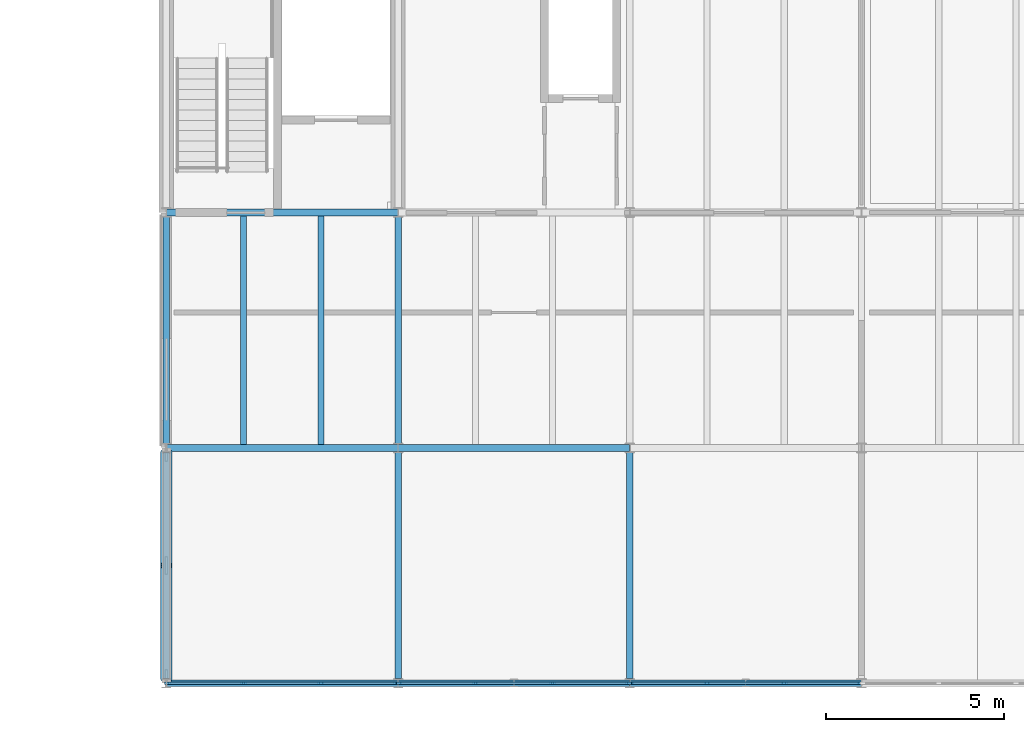
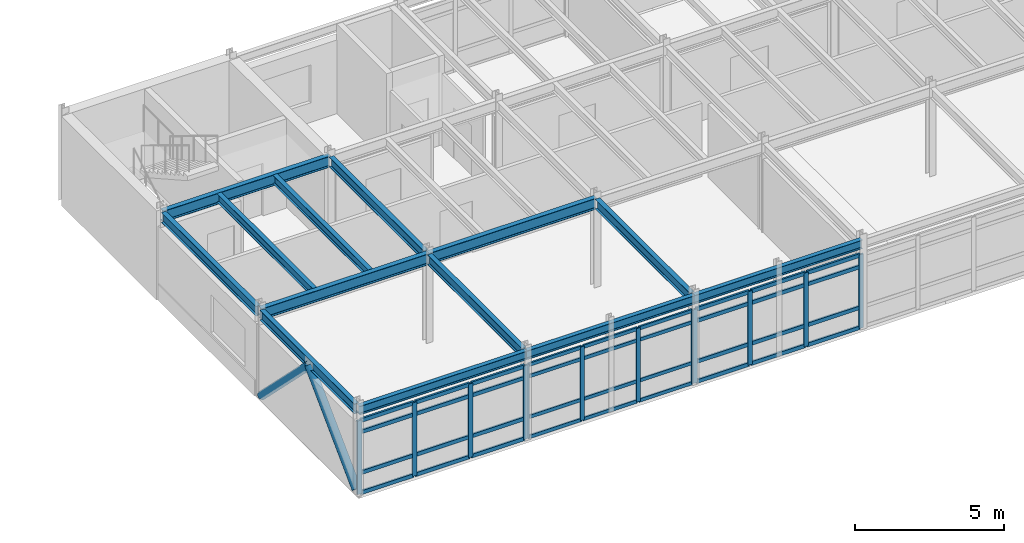
# One storey, part 7 of 26: 50 members, 13 beams, 3 elements without a shape of their own.
"""IFC4 building model written with IfcOpenShell, lengths in metres."""

import ifcopenshell
import ifcopenshell.guid

model = None  # the IFC model being written
_history = None  # IfcOwnerHistory: only IFC2X3 demands one
_inside = {}  # id of a spatial element -> (the spatial element, [elements in it])
_under = {}  # id of a project, library or spatial element -> (it, [spatial elements below it])
_declared = {}  # id of a project -> (the project, [libraries it declares])
_typed = {}  # id of a type object -> (the type object, [elements of that type])
_made_of = {}  # id of a material, layer set ... -> (it, [elements and type objects made of it])


def new_model(schema):
    """Start an empty IFC model of exactly this schema.

    Asked for "IFC4X3", IfcOpenShell would pick the latest addendum, in which some entities
    have other attributes; the version numbers below select the first issue.
    IFC2X3 requires an IfcOwnerHistory on every rooted entity: one is made here for all.
    """
    global model, _history
    if schema == "IFC4X3":
        model = ifcopenshell.file(schema_version=(4, 3, 0, 0))
    else:
        model = ifcopenshell.file(schema=schema)
    _inside.clear()
    _under.clear()
    _declared.clear()
    _typed.clear()
    _made_of.clear()
    _history = None
    if model.schema == "IFC2X3":
        org = make("IfcOrganization", Name="unknown")
        user = make(
            "IfcPersonAndOrganization",
            ThePerson=make("IfcPerson", FamilyName="unknown"),
            TheOrganization=org,
        )
        app = make(
            "IfcApplication",
            ApplicationDeveloper=org,
            Version="unknown",
            ApplicationFullName="unknown",
            ApplicationIdentifier="unknown",
        )
        _history = make(
            "IfcOwnerHistory",
            OwningUser=user,
            OwningApplication=app,
            ChangeAction="ADDED",
            CreationDate=0,
        )
    return model


def make(cls, **values):
    """One entity of the class cls with the attributes given. An attribute that is None is left unset."""
    return model.create_entity(
        cls, **{name: value for name, value in values.items() if value is not None}
    )


def rooted(cls, **values):
    """An entity with a GlobalId (a new one), such as an element, a storey or a relation."""
    return make(cls, GlobalId=ifcopenshell.guid.new(), OwnerHistory=_history, **values)


def si_unit(unit_type, name, prefix=None):
    """IfcSIUnit, for example si_unit("LENGTHUNIT", "METRE", prefix="MILLI")."""
    return make("IfcSIUnit", UnitType=unit_type, Prefix=prefix, Name=name)


def assignment(units):
    """IfcUnitAssignment: the units of a project."""
    return None if units is None else make("IfcUnitAssignment", Units=units)


def point(xyz):
    """IfcCartesianPoint."""
    return None if xyz is None else make("IfcCartesianPoint", Coordinates=xyz)


def direction(xyz):
    """IfcDirection."""
    return None if xyz is None else make("IfcDirection", DirectionRatios=xyz)


def frame(location, z_axis=None, x_axis=None):
    """IfcAxis2Placement3D, a coordinate frame: its origin and axes. An axis left out is left unset."""
    return make(
        "IfcAxis2Placement3D",
        Location=point(location),
        Axis=direction(z_axis),
        RefDirection=direction(x_axis),
    )


def frame_2d(location, x_axis=None):
    """IfcAxis2Placement2D, a coordinate frame in the plane: its origin and x axis."""
    return make(
        "IfcAxis2Placement2D", Location=point(location), RefDirection=direction(x_axis)
    )


def origin():
    """The frame at (0, 0, 0) with its axes left unset."""
    return frame((0.0, 0.0, 0.0))


def origin_2d():
    """The frame at (0, 0) in the plane with its x axis left unset."""
    return frame_2d((0.0, 0.0))


def place(relative_to, where):
    """IfcLocalPlacement: puts the frame where relative to a parent placement (None: the world)."""
    return make(
        "IfcLocalPlacement", PlacementRelTo=relative_to, RelativePlacement=where
    )


def context(
    kind, dimensions, precision=None, world=None, true_north=None, identifier=None
):
    """IfcGeometricRepresentationContext, for example the 3D "Model" context."""
    return make(
        "IfcGeometricRepresentationContext",
        ContextIdentifier=identifier,
        ContextType=kind,
        CoordinateSpaceDimension=dimensions,
        Precision=precision,
        WorldCoordinateSystem=world,
        TrueNorth=true_north,
    )


def subcontext(parent, identifier, kind, view, scale=None):
    """IfcGeometricRepresentationSubContext, for example "Body" below "Model"."""
    return make(
        "IfcGeometricRepresentationSubContext",
        ContextIdentifier=identifier,
        ContextType=kind,
        ParentContext=parent,
        TargetScale=scale,
        TargetView=view,
    )


def project(units=None, contexts=None):
    """IfcProject with its units and contexts."""
    return rooted(
        "IfcProject",
        Name="project",
        RepresentationContexts=contexts,
        UnitsInContext=assignment(units),
    )


def spatial(cls, under=None, at=None, **own):
    """A site, building, storey or space (cls), placed at a placement, below another one or the project."""
    s = rooted(cls, ObjectPlacement=at, **own)
    if under is not None:
        _under.setdefault(under.id(), (under, []))[1].append(s)
    return s


def profile(cls, at=None, kind="AREA", **sizes):
    """A parametric profile (cls). Its sizes go by their IFC names, for example OverallWidth=200.0."""
    return make(cls, ProfileType=kind, Position=at, **sizes)


def rectangle(**sizes):
    """IfcRectangleProfileDef."""
    return profile("IfcRectangleProfileDef", **sizes)


def hollow_circle(**sizes):
    """IfcCircleHollowProfileDef."""
    return profile("IfcCircleHollowProfileDef", **sizes)


def i_section(**sizes):
    """IfcIShapeProfileDef."""
    return profile("IfcIShapeProfileDef", **sizes)


def extrude(swept, where, along, depth):
    """IfcExtrudedAreaSolid: the profile swept, set in the frame where, extruded along a direction by depth."""
    return make(
        "IfcExtrudedAreaSolid",
        SweptArea=swept,
        Position=where,
        ExtrudedDirection=direction(along),
        Depth=depth,
    )


def shape(context_of_items, identifier, shape_type, items):
    """IfcShapeRepresentation: the items that make up one representation, for example the "Body"."""
    return make(
        "IfcShapeRepresentation",
        ContextOfItems=context_of_items,
        RepresentationIdentifier=identifier,
        RepresentationType=shape_type,
        Items=items,
    )


def material(Name=None, Category=None):
    """IfcMaterial."""
    return make("IfcMaterial", Name=Name, Category=Category)


def layer(
    of_material, thickness, ventilated=None, Name=None, Category=None, Priority=None
):
    """IfcMaterialLayer: one layer of a wall or slab, of a material (None: an air gap)."""
    return make(
        "IfcMaterialLayer",
        Material=of_material,
        LayerThickness=thickness,
        IsVentilated=ventilated,
        Name=Name,
        Category=Category,
        Priority=Priority,
    )


def layer_set(layers, Name=None):
    """IfcMaterialLayerSet."""
    return make("IfcMaterialLayerSet", MaterialLayers=layers, LayerSetName=Name)


def material_profile(
    of_material, cross_section, Name=None, Category=None, Priority=None
):
    """IfcMaterialProfile: a cross section and its material."""
    return make(
        "IfcMaterialProfile",
        Name=Name,
        Material=of_material,
        Profile=cross_section,
        Priority=Priority,
        Category=Category,
    )


def profile_set(profiles, Name=None, composite=None):
    """IfcMaterialProfileSet."""
    return make(
        "IfcMaterialProfileSet",
        Name=Name,
        MaterialProfiles=profiles,
        CompositeProfile=composite,
    )


def made_of(thing, what):
    """Note that an element or type object is made of a material, layer set ...; save() writes the relation."""
    if what is not None:
        _made_of.setdefault(what.id(), (what, []))[1].append(thing)
    return thing


def type_object(cls, material=None, **own):
    """A type object (cls), such as IfcWallType, which elements share."""
    return made_of(rooted(cls, **own), material)


def element(
    cls,
    number,
    at=None,
    inside=None,
    cuts=None,
    type_object=None,
    material=None,
    context=None,
    identifier="Body",
    shape_type=None,
    held_by="IfcProductDefinitionShape",
    body=None,
    shapes=None,
    **own,
):
    """One element of the class cls, such as IfcWall. Its Tag is "e" and its number.

    at: its placement. inside: the storey or other place that contains it. cuts: it is an
    opening in that element (IfcRelVoidsElement). A single representation is given by context,
    identifier, shape_type and body (its items); several are given by shapes. held_by: the class
    of the entity that holds the representations. save() writes the other relations.
    """
    e = rooted(cls, Tag="e%d" % number, ObjectPlacement=at, **own)
    if body is not None:
        shapes = [shape(context, identifier, shape_type, body)]
    if shapes is not None:
        e.Representation = make(held_by, Representations=shapes)
    if inside is not None:
        _inside.setdefault(inside.id(), (inside, []))[1].append(e)
    if cuts is not None:
        rooted(
            "IfcRelVoidsElement", RelatingBuildingElement=cuts, RelatedOpeningElement=e
        )
    if type_object is not None:
        _typed.setdefault(type_object.id(), (type_object, []))[1].append(e)
    return made_of(e, material)


def aggregate(whole, parts):
    """IfcRelAggregates: a whole, such as a stair, and the parts it consists of."""
    return rooted("IfcRelAggregates", RelatingObject=whole, RelatedObjects=parts)


def save(model, path):
    """Write the relations noted so far, then the file.

    IfcRelAggregates (storeys below a building ...), IfcRelContainedInSpatialStructure (elements
    in a storey), IfcRelDefinesByType, IfcRelAssociatesMaterial and IfcRelDeclares: one each for
    every whole, place, type object, material and project.
    """
    for whole, parts in _under.values():
        aggregate(whole, parts)
    for where, things in _inside.values():
        rooted(
            "IfcRelContainedInSpatialStructure",
            RelatedElements=things,
            RelatingStructure=where,
        )
    for kind, things in _typed.values():
        rooted("IfcRelDefinesByType", RelatedObjects=things, RelatingType=kind)
    for what, things in _made_of.values():
        rooted("IfcRelAssociatesMaterial", RelatedObjects=things, RelatingMaterial=what)
    for by, libraries in _declared.values():
        rooted("IfcRelDeclares", RelatingContext=by, RelatedDefinitions=libraries)
    model.write(path)


model = new_model("IFC4")

# Units and contexts
model_context = context("Model", 3, precision=1e-05, world=origin(), true_north=direction((0.0, 1.0)))
body_context = subcontext(model_context, "Body", "Model", "MODEL_VIEW")
ifc_project = project(units=[si_unit("LENGTHUNIT", "METRE"), si_unit("AREAUNIT", "SQUARE_METRE"), si_unit("VOLUMEUNIT", "CUBIC_METRE"), si_unit("PLANEANGLEUNIT", "RADIAN"), si_unit("MASSUNIT", "GRAM", prefix="KILO")], contexts=[model_context])

# Site, building, storey
site_placement = place(None, origin())
site = spatial("IfcSite", under=ifc_project, at=site_placement, CompositionType="ELEMENT")
building_placement = place(site_placement, origin())
building = spatial("IfcBuilding", under=site, at=building_placement, Name="Trelmorton Wharf Fire Station", CompositionType="ELEMENT")
storey_placement = place(building_placement, frame((0.0, 0.0, 17.39990234375)))
storey = spatial("IfcBuildingStorey", under=building, at=storey_placement, Name="L04", CompositionType="ELEMENT", Elevation=17.39990234375)

# Beams
ifc_material_1 = material(Name="Steel Grade 350", Category="steel")
ifc_material_profile_1 = material_profile(ifc_material_1, i_section(OverallWidth=0.177978515625, OverallDepth=0.406005859375, WebThickness=0.0078125, FlangeThickness=0.0126953125, FilletRadius=0.011474609375, at=origin_2d()), Name="410UB59.7")
ifc_profile_set_1 = profile_set([ifc_material_profile_1], Name="Steel Grade 350")
beam_type_1 = type_object("IfcBeamType", Name="BM_410UB60", PredefinedType="BEAM", material=ifc_profile_set_1)
beam_1_placement = place(storey_placement, frame((110.5, 7.926025390625, 3.427001953125), z_axis=(0.0, 1.0, 0.0), x_axis=(-1.0, 0.0, 0.0)))
element("IfcBeam", 1, at=beam_1_placement, inside=storey, type_object=beam_type_1, Name="BM-L04-1096", PredefinedType="BEAM", context=body_context, shape_type="SweptSolid", body=[
    extrude(i_section(OverallWidth=0.177978515625, OverallDepth=0.406005859375, WebThickness=0.0078125, FlangeThickness=0.0126953125, FilletRadius=0.011474609375, at=origin_2d()), origin(), (0.0, 0.0, 1.0), 6.347900390625),
])
beam_2_placement = place(storey_placement, frame((110.5, 14.52587890625, 3.427001953125), z_axis=(0.0, 1.0, 0.0), x_axis=(-1.0, 0.0, 0.0)))
element("IfcBeam", 2, at=beam_2_placement, inside=storey, type_object=beam_type_1, Name="BM-L04-1097", PredefinedType="BEAM", context=body_context, shape_type="SweptSolid", body=[
    extrude(i_section(OverallWidth=0.177978515625, OverallDepth=0.406005859375, WebThickness=0.0078125, FlangeThickness=0.0126953125, FilletRadius=0.011474609375, at=origin_2d()), origin(), (0.0, 0.0, 1.0), 6.34814453125),
])
beam_3_placement = place(storey_placement, frame((117.0, 7.926025390625, 3.427001953125), z_axis=(0.0, 1.0, 0.0), x_axis=(-1.0, 0.0, 0.0)))
element("IfcBeam", 3, at=beam_3_placement, inside=storey, type_object=beam_type_1, Name="BM-L04-1101", PredefinedType="BEAM", context=body_context, shape_type="SweptSolid", body=[
    extrude(i_section(OverallWidth=0.177978515625, OverallDepth=0.406005859375, WebThickness=0.0078125, FlangeThickness=0.0126953125, FilletRadius=0.011474609375, at=origin_2d()), origin(), (0.0, 0.0, 1.0), 6.347900390625),
])
beam_4_placement = place(storey_placement, frame((117.0, 14.52587890625, 3.427001953125), z_axis=(0.0, 1.0, 0.0), x_axis=(-1.0, 0.0, 0.0)))
element("IfcBeam", 4, at=beam_4_placement, inside=storey, type_object=beam_type_1, Name="BM-L04-1102", PredefinedType="BEAM", context=body_context, shape_type="SweptSolid", body=[
    extrude(i_section(OverallWidth=0.177978515625, OverallDepth=0.406005859375, WebThickness=0.0078125, FlangeThickness=0.0126953125, FilletRadius=0.011474609375, at=origin_2d()), origin(), (0.0, 0.0, 1.0), 6.34814453125),
])
beam_5_placement = place(storey_placement, frame((123.5, 7.926025390625, 3.427001953125), z_axis=(0.0, 1.0, 0.0), x_axis=(-1.0, 0.0, 0.0)))
element("IfcBeam", 5, at=beam_5_placement, inside=storey, type_object=beam_type_1, Name="BM-L04-1106", PredefinedType="BEAM", context=body_context, shape_type="SweptSolid", body=[
    extrude(i_section(OverallWidth=0.177978515625, OverallDepth=0.406005859375, WebThickness=0.0078125, FlangeThickness=0.0126953125, FilletRadius=0.011474609375, at=origin_2d()), origin(), (0.0, 0.0, 1.0), 6.347900390625),
])
ifc_material_profile_2 = material_profile(ifc_material_1, i_section(OverallWidth=0.18994140625, OverallDepth=0.45703125, WebThickness=0.009033203125, FlangeThickness=0.014404296875, FilletRadius=0.011474609375, at=origin_2d()), Name="460UB74.6")
ifc_profile_set_2 = profile_set([ifc_material_profile_2], Name="Steel Grade 350")
beam_type_2 = type_object("IfcBeamType", Name="BM_460UB75", PredefinedType="BEAM", material=ifc_profile_set_2)
for number, where, z_axis, x_axis, name in (
    (6, (110.50390625, 14.39990234375, 3.401611328125), (1.0, 0.0, 0.0), (0.0, 1.0, 0.0), "BM-L04-1041"),
    (7, (117.00390625, 14.39990234375, 3.401611328125), (1.0, 0.0, 0.0), (0.0, 1.0, 0.0), "BM-L04-1042"),
    (8, (110.50390625, 21.0, 3.401611328125), (1.0, 0.0, 0.0), (0.0, 1.0, 0.0), "BM-L04-1048"),
):
    element("IfcBeam", number, at=place(storey_placement, frame(where, z_axis=z_axis, x_axis=x_axis)), inside=storey, type_object=beam_type_2, Name=name, PredefinedType="BEAM", context=body_context, shape_type="SweptSolid", body=[
        extrude(i_section(OverallWidth=0.18994140625, OverallDepth=0.45703125, WebThickness=0.009033203125, FlangeThickness=0.014404296875, FilletRadius=0.011474609375, at=origin_2d()), origin(), (0.0, 0.0, 1.0), 6.4921875),
    ])

# Members
ifc_material_2 = material(Name="Steel C450L0 (450 MPa)", Category="steel")
ifc_material_profile_3 = material_profile(ifc_material_2, hollow_circle(Radius=0.161865234375, WallThickness=0.0126953125, at=origin_2d()), Name="323.9x12.7CHS")
ifc_profile_set_3 = profile_set([ifc_material_profile_3], Name="Steel C450L0 (450 MPa)")
member_type_1 = type_object("IfcMemberType", Name="BR_324CHS", PredefinedType="BRACE", material=ifc_profile_set_3)
for number, where, z_axis, x_axis, name in (
    (9, (110.5, 7.927001953125, 0.1201171875), (0.0, 0.70857724917, 0.705633248904), (-1.0, 0.0, 0.0), "CBF-V5-W-L04-A"),
    (10, (110.5, 14.27294921875, 0.1201171875), (0.0, -0.708550101827, 0.70566050846), (1.0, 0.0, 0.0), "CBF-V5-W-L04-B"),
):
    element("IfcMember", number, at=place(storey_placement, frame(where, z_axis=z_axis, x_axis=x_axis)), inside=storey, type_object=member_type_1, Name=name, PredefinedType="BRACE", context=body_context, shape_type="SweptSolid", body=[
        extrude(hollow_circle(Radius=0.161865234375, WallThickness=0.0126953125, at=origin_2d()), origin(), (0.0, 0.0, 1.0), 4.47802734375),
    ])

# Curtain wall, members
ifc_material_3 = material(Name="Anodised aluminium AW-6063", Category="aluminium")
ifc_layer_1 = layer(ifc_material_3, 0.175048828125)
ifc_layer_set_1 = layer_set([ifc_layer_1], Name="Anodised aluminium AW-6063")
curtain_wall_type_1 = type_object("IfcCurtainWallType", Name="CW_CHIC_B", PredefinedType="USERDEFINED", material=ifc_layer_set_1)
curtain_wall_1_placement = place(storey_placement, origin())
curtain_wall_1 = element("IfcCurtainWall", 11, at=curtain_wall_1_placement, inside=storey, type_object=curtain_wall_type_1, Name="CW-V5-L04-073", ObjectType="CHICAGO BAY CURTAIN WALL", PredefinedType="USERDEFINED")
ifc_material_profile_4 = material_profile(ifc_material_3, rectangle(XDim=0.06494140625, YDim=0.159912109375, at=origin_2d()), Name="ALU-65x160")
ifc_profile_set_4 = profile_set([ifc_material_profile_4], Name="Anodised aluminium AW-6063")
member_type_2 = type_object("IfcMemberType", Name="CWM_65x160", PredefinedType="MULLION", material=ifc_profile_set_4)
member_1_placement = place(storey_placement, frame((123.465087890625, 7.800048828125, 0.0), z_axis=(0.0, 0.0, 1.0), x_axis=(0.0, -1.0, 0.0)))
member_1 = element("IfcMember", 12, at=member_1_placement, type_object=member_type_2, Name="CW2 mullion 1", PredefinedType="MULLION", context=body_context, shape_type="SweptSolid", body=[
    extrude(rectangle(XDim=0.06494140625, YDim=0.159912109375, at=origin_2d()), origin(), (0.0, 0.0, 1.0), 3.02001953125),
])
member_2_placement = place(storey_placement, frame((121.331787109375, 7.800048828125, 0.0), z_axis=(0.0, 0.0, 1.0), x_axis=(0.0, -1.0, 0.0)))
member_2 = element("IfcMember", 13, at=member_2_placement, type_object=member_type_2, Name="CW2 mullion 2", PredefinedType="MULLION", context=body_context, shape_type="SweptSolid", body=[
    extrude(rectangle(XDim=0.06494140625, YDim=0.159912109375, at=origin_2d()), origin(), (0.0, 0.0, 1.0), 3.02001953125),
])
member_3_placement = place(storey_placement, frame((119.168212890625, 7.800048828125, 0.0), z_axis=(0.0, 0.0, 1.0), x_axis=(0.0, -1.0, 0.0)))
member_3 = element("IfcMember", 14, at=member_3_placement, type_object=member_type_2, Name="CW2 mullion 3", PredefinedType="MULLION", context=body_context, shape_type="SweptSolid", body=[
    extrude(rectangle(XDim=0.06494140625, YDim=0.159912109375, at=origin_2d()), origin(), (0.0, 0.0, 1.0), 3.02001953125),
])
member_4_placement = place(storey_placement, frame((117.034912109375, 7.800048828125, 0.0), z_axis=(0.0, 0.0, 1.0), x_axis=(0.0, -1.0, 0.0)))
member_4 = element("IfcMember", 15, at=member_4_placement, type_object=member_type_2, Name="CW2 mullion 4", PredefinedType="MULLION", context=body_context, shape_type="SweptSolid", body=[
    extrude(rectangle(XDim=0.06494140625, YDim=0.159912109375, at=origin_2d()), origin(), (0.0, 0.0, 1.0), 3.02001953125),
])

ifc_layer_2 = layer(ifc_material_3, 0.159912109375)
ifc_layer_set_2 = layer_set([ifc_layer_2], Name="Anodised aluminium AW-6063")
curtain_wall_type_2 = type_object("IfcCurtainWallType", Name="CW_CHIC_A", PredefinedType="USERDEFINED", material=ifc_layer_set_2)
curtain_wall_2_placement = place(storey_placement, origin())
curtain_wall_2 = element("IfcCurtainWall", 16, at=curtain_wall_2_placement, inside=storey, type_object=curtain_wall_type_2, Name="CW-V5-L04-072", ObjectType="CHICAGO BAY CURTAIN WALL", PredefinedType="USERDEFINED")
ifc_material_profile_5 = material_profile(ifc_material_3, rectangle(XDim=0.074951171875, YDim=0.175048828125, at=origin_2d()), Name="ALU-75x175")
ifc_profile_set_5 = profile_set([ifc_material_profile_5], Name="Anodised aluminium AW-6063")
member_type_3 = type_object("IfcMemberType", Name="CWM_75x175", PredefinedType="MULLION", material=ifc_profile_set_5)
member_5_placement = place(storey_placement, frame((116.965087890625, 7.800048828125, 0.0), z_axis=(0.0, 0.0, 1.0), x_axis=(0.0, -1.0, 0.0)))
member_5 = element("IfcMember", 17, at=member_5_placement, type_object=member_type_3, Name="CW1 mullion 1", PredefinedType="MULLION", context=body_context, shape_type="SweptSolid", body=[
    extrude(rectangle(XDim=0.074951171875, YDim=0.175048828125, at=origin_2d()), origin(), (0.0, 0.0, 1.0), 3.02001953125),
])
member_6_placement = place(storey_placement, frame((114.831787109375, 7.800048828125, 0.0), z_axis=(0.0, 0.0, 1.0), x_axis=(0.0, -1.0, 0.0)))
member_6 = element("IfcMember", 18, at=member_6_placement, type_object=member_type_3, Name="CW1 mullion 2", PredefinedType="MULLION", context=body_context, shape_type="SweptSolid", body=[
    extrude(rectangle(XDim=0.074951171875, YDim=0.175048828125, at=origin_2d()), origin(), (0.0, 0.0, 1.0), 3.02001953125),
])
member_7_placement = place(storey_placement, frame((112.668212890625, 7.800048828125, 0.0), z_axis=(0.0, 0.0, 1.0), x_axis=(0.0, -1.0, 0.0)))
member_7 = element("IfcMember", 19, at=member_7_placement, type_object=member_type_3, Name="CW1 mullion 3", PredefinedType="MULLION", context=body_context, shape_type="SweptSolid", body=[
    extrude(rectangle(XDim=0.074951171875, YDim=0.175048828125, at=origin_2d()), origin(), (0.0, 0.0, 1.0), 3.02001953125),
])
member_8_placement = place(storey_placement, frame((110.534912109375, 7.800048828125, 0.0), z_axis=(0.0, 0.0, 1.0), x_axis=(0.0, -1.0, 0.0)))
member_8 = element("IfcMember", 20, at=member_8_placement, type_object=member_type_3, Name="CW1 mullion 4", PredefinedType="MULLION", context=body_context, shape_type="SweptSolid", body=[
    extrude(rectangle(XDim=0.074951171875, YDim=0.175048828125, at=origin_2d()), origin(), (0.0, 0.0, 1.0), 3.02001953125),
])

curtain_wall_3_placement = place(storey_placement, origin())
curtain_wall_3 = element("IfcCurtainWall", 21, at=curtain_wall_3_placement, inside=storey, type_object=curtain_wall_type_2, Name="CW-V5-L04-074", ObjectType="CHICAGO BAY CURTAIN WALL", PredefinedType="USERDEFINED")
member_9_placement = place(storey_placement, frame((129.965087890625, 7.800048828125, 0.0), z_axis=(0.0, 0.0, 1.0), x_axis=(0.0, -1.0, 0.0)))
member_9 = element("IfcMember", 22, at=member_9_placement, type_object=member_type_3, Name="CW1 mullion 1", PredefinedType="MULLION", context=body_context, shape_type="SweptSolid", body=[
    extrude(rectangle(XDim=0.074951171875, YDim=0.175048828125, at=origin_2d()), origin(), (0.0, 0.0, 1.0), 3.02001953125),
])
member_10_placement = place(storey_placement, frame((127.831787109375, 7.800048828125, 0.0), z_axis=(0.0, 0.0, 1.0), x_axis=(0.0, -1.0, 0.0)))
member_10 = element("IfcMember", 23, at=member_10_placement, type_object=member_type_3, Name="CW1 mullion 2", PredefinedType="MULLION", context=body_context, shape_type="SweptSolid", body=[
    extrude(rectangle(XDim=0.074951171875, YDim=0.175048828125, at=origin_2d()), origin(), (0.0, 0.0, 1.0), 3.02001953125),
])
member_11_placement = place(storey_placement, frame((125.668212890625, 7.800048828125, 0.0), z_axis=(0.0, 0.0, 1.0), x_axis=(0.0, -1.0, 0.0)))
member_11 = element("IfcMember", 24, at=member_11_placement, type_object=member_type_3, Name="CW1 mullion 3", PredefinedType="MULLION", context=body_context, shape_type="SweptSolid", body=[
    extrude(rectangle(XDim=0.074951171875, YDim=0.175048828125, at=origin_2d()), origin(), (0.0, 0.0, 1.0), 3.02001953125),
])
member_12_placement = place(storey_placement, frame((123.534912109375, 7.800048828125, 0.0), z_axis=(0.0, 0.0, 1.0), x_axis=(0.0, -1.0, 0.0)))
member_12 = element("IfcMember", 25, at=member_12_placement, type_object=member_type_3, Name="CW1 mullion 4", PredefinedType="MULLION", context=body_context, shape_type="SweptSolid", body=[
    extrude(rectangle(XDim=0.074951171875, YDim=0.175048828125, at=origin_2d()), origin(), (0.0, 0.0, 1.0), 3.02001953125),
])

# Member
ifc_material_profile_6 = material_profile(ifc_material_3, rectangle(XDim=0.06494140625, YDim=0.139892578125, at=origin_2d()), Name="ALU-65x140")
ifc_profile_set_6 = profile_set([ifc_material_profile_6], Name="Anodised aluminium AW-6063")
member_type_4 = type_object("IfcMemberType", Name="CWT_65x140", PredefinedType="USERDEFINED", material=ifc_profile_set_6)
member_13_placement = place(storey_placement, frame((123.43505859375, 7.800048828125, 0.030029296875), z_axis=(-1.0, 0.0, 0.0), x_axis=(0.0, -1.0, 0.0)))
member_13 = element("IfcMember", 26, at=member_13_placement, type_object=member_type_4, Name="CW2 transom 1.1", ObjectType="TRANSOM", PredefinedType="USERDEFINED", context=body_context, shape_type="SweptSolid", body=[
    extrude(rectangle(XDim=0.06494140625, YDim=0.139892578125, at=origin_2d()), origin(), (0.0, 0.0, 1.0), 2.073486328125),
])

member_14_placement = place(storey_placement, frame((123.43505859375, 7.800048828125, 0.85009765625), z_axis=(-1.0, 0.0, 0.0), x_axis=(0.0, -1.0, 0.0)))
member_14 = element("IfcMember", 27, at=member_14_placement, type_object=member_type_4, Name="CW2 transom 1.2", ObjectType="TRANSOM", PredefinedType="USERDEFINED", context=body_context, shape_type="SweptSolid", body=[
    extrude(rectangle(XDim=0.06494140625, YDim=0.139892578125, at=origin_2d()), origin(), (0.0, 0.0, 1.0), 2.073486328125),
])

member_15_placement = place(storey_placement, frame((123.43505859375, 7.800048828125, 2.52001953125), z_axis=(-1.0, 0.0, 0.0), x_axis=(0.0, -1.0, 0.0)))
member_15 = element("IfcMember", 28, at=member_15_placement, type_object=member_type_4, Name="CW2 transom 1.3", ObjectType="TRANSOM", PredefinedType="USERDEFINED", context=body_context, shape_type="SweptSolid", body=[
    extrude(rectangle(XDim=0.06494140625, YDim=0.139892578125, at=origin_2d()), origin(), (0.0, 0.0, 1.0), 2.073486328125),
])

member_16_placement = place(storey_placement, frame((123.43505859375, 7.800048828125, 2.989990234375), z_axis=(-1.0, 0.0, 0.0), x_axis=(0.0, -1.0, 0.0)))
member_16 = element("IfcMember", 29, at=member_16_placement, type_object=member_type_4, Name="CW2 transom 1.4", ObjectType="TRANSOM", PredefinedType="USERDEFINED", context=body_context, shape_type="SweptSolid", body=[
    extrude(rectangle(XDim=0.06494140625, YDim=0.139892578125, at=origin_2d()), origin(), (0.0, 0.0, 1.0), 2.073486328125),
])

member_17_placement = place(storey_placement, frame((121.3017578125, 7.800048828125, 0.030029296875), z_axis=(-1.0, 0.0, 0.0), x_axis=(0.0, -1.0, 0.0)))
member_17 = element("IfcMember", 30, at=member_17_placement, type_object=member_type_4, Name="CW2 transom 2.1", ObjectType="TRANSOM", PredefinedType="USERDEFINED", context=body_context, shape_type="SweptSolid", body=[
    extrude(rectangle(XDim=0.06494140625, YDim=0.139892578125, at=origin_2d()), origin(), (0.0, 0.0, 1.0), 2.103515625),
])

member_18_placement = place(storey_placement, frame((121.3017578125, 7.800048828125, 0.85009765625), z_axis=(-1.0, 0.0, 0.0), x_axis=(0.0, -1.0, 0.0)))
member_18 = element("IfcMember", 31, at=member_18_placement, type_object=member_type_4, Name="CW2 transom 2.2", ObjectType="TRANSOM", PredefinedType="USERDEFINED", context=body_context, shape_type="SweptSolid", body=[
    extrude(rectangle(XDim=0.06494140625, YDim=0.139892578125, at=origin_2d()), origin(), (0.0, 0.0, 1.0), 2.103515625),
])

member_19_placement = place(storey_placement, frame((121.3017578125, 7.800048828125, 2.52001953125), z_axis=(-1.0, 0.0, 0.0), x_axis=(0.0, -1.0, 0.0)))
member_19 = element("IfcMember", 32, at=member_19_placement, type_object=member_type_4, Name="CW2 transom 2.3", ObjectType="TRANSOM", PredefinedType="USERDEFINED", context=body_context, shape_type="SweptSolid", body=[
    extrude(rectangle(XDim=0.06494140625, YDim=0.139892578125, at=origin_2d()), origin(), (0.0, 0.0, 1.0), 2.103515625),
])

member_20_placement = place(storey_placement, frame((121.3017578125, 7.800048828125, 2.989990234375), z_axis=(-1.0, 0.0, 0.0), x_axis=(0.0, -1.0, 0.0)))
member_20 = element("IfcMember", 33, at=member_20_placement, type_object=member_type_4, Name="CW2 transom 2.4", ObjectType="TRANSOM", PredefinedType="USERDEFINED", context=body_context, shape_type="SweptSolid", body=[
    extrude(rectangle(XDim=0.06494140625, YDim=0.139892578125, at=origin_2d()), origin(), (0.0, 0.0, 1.0), 2.103515625),
])

member_21_placement = place(storey_placement, frame((119.138427734375, 7.800048828125, 0.030029296875), z_axis=(-1.0, 0.0, 0.0), x_axis=(0.0, -1.0, 0.0)))
member_21 = element("IfcMember", 34, at=member_21_placement, type_object=member_type_4, Name="CW2 transom 3.1", ObjectType="TRANSOM", PredefinedType="USERDEFINED", context=body_context, shape_type="SweptSolid", body=[
    extrude(rectangle(XDim=0.06494140625, YDim=0.139892578125, at=origin_2d()), origin(), (0.0, 0.0, 1.0), 2.073486328125),
])

member_22_placement = place(storey_placement, frame((119.138427734375, 7.800048828125, 0.85009765625), z_axis=(-1.0, 0.0, 0.0), x_axis=(0.0, -1.0, 0.0)))
member_22 = element("IfcMember", 35, at=member_22_placement, type_object=member_type_4, Name="CW2 transom 3.2", ObjectType="TRANSOM", PredefinedType="USERDEFINED", context=body_context, shape_type="SweptSolid", body=[
    extrude(rectangle(XDim=0.06494140625, YDim=0.139892578125, at=origin_2d()), origin(), (0.0, 0.0, 1.0), 2.073486328125),
])

member_23_placement = place(storey_placement, frame((119.138427734375, 7.800048828125, 2.52001953125), z_axis=(-1.0, 0.0, 0.0), x_axis=(0.0, -1.0, 0.0)))
member_23 = element("IfcMember", 36, at=member_23_placement, type_object=member_type_4, Name="CW2 transom 3.3", ObjectType="TRANSOM", PredefinedType="USERDEFINED", context=body_context, shape_type="SweptSolid", body=[
    extrude(rectangle(XDim=0.06494140625, YDim=0.139892578125, at=origin_2d()), origin(), (0.0, 0.0, 1.0), 2.073486328125),
])

member_24_placement = place(storey_placement, frame((119.138427734375, 7.800048828125, 2.989990234375), z_axis=(-1.0, 0.0, 0.0), x_axis=(0.0, -1.0, 0.0)))
member_24 = element("IfcMember", 37, at=member_24_placement, type_object=member_type_4, Name="CW2 transom 3.4", ObjectType="TRANSOM", PredefinedType="USERDEFINED", context=body_context, shape_type="SweptSolid", body=[
    extrude(rectangle(XDim=0.06494140625, YDim=0.139892578125, at=origin_2d()), origin(), (0.0, 0.0, 1.0), 2.073486328125),
])

aggregate(curtain_wall_1, [member_1, member_2, member_3, member_4, member_13, member_14, member_15, member_16, member_17, member_18, member_19, member_20, member_21, member_22, member_23, member_24])

ifc_material_profile_7 = material_profile(ifc_material_3, rectangle(XDim=0.074951171875, YDim=0.155029296875, at=origin_2d()), Name="ALU-75x155")
ifc_profile_set_7 = profile_set([ifc_material_profile_7], Name="Anodised aluminium AW-6063")
member_type_5 = type_object("IfcMemberType", Name="CWT_75x155", PredefinedType="USERDEFINED", material=ifc_profile_set_7)
member_25_placement = place(storey_placement, frame((116.93505859375, 7.800048828125, 0.030029296875), z_axis=(-1.0, 0.0, 0.0), x_axis=(0.0, -1.0, 0.0)))
member_25 = element("IfcMember", 38, at=member_25_placement, type_object=member_type_5, Name="CW1 transom 1.1", ObjectType="TRANSOM", PredefinedType="USERDEFINED", context=body_context, shape_type="SweptSolid", body=[
    extrude(rectangle(XDim=0.074951171875, YDim=0.155029296875, at=origin_2d()), origin(), (0.0, 0.0, 1.0), 2.073486328125),
])

member_26_placement = place(storey_placement, frame((116.93505859375, 7.800048828125, 0.85009765625), z_axis=(-1.0, 0.0, 0.0), x_axis=(0.0, -1.0, 0.0)))
member_26 = element("IfcMember", 39, at=member_26_placement, type_object=member_type_5, Name="CW1 transom 1.2", ObjectType="TRANSOM", PredefinedType="USERDEFINED", context=body_context, shape_type="SweptSolid", body=[
    extrude(rectangle(XDim=0.074951171875, YDim=0.155029296875, at=origin_2d()), origin(), (0.0, 0.0, 1.0), 2.073486328125),
])

member_27_placement = place(storey_placement, frame((116.93505859375, 7.800048828125, 2.52001953125), z_axis=(-1.0, 0.0, 0.0), x_axis=(0.0, -1.0, 0.0)))
member_27 = element("IfcMember", 40, at=member_27_placement, type_object=member_type_5, Name="CW1 transom 1.3", ObjectType="TRANSOM", PredefinedType="USERDEFINED", context=body_context, shape_type="SweptSolid", body=[
    extrude(rectangle(XDim=0.074951171875, YDim=0.155029296875, at=origin_2d()), origin(), (0.0, 0.0, 1.0), 2.073486328125),
])

member_28_placement = place(storey_placement, frame((116.93505859375, 7.800048828125, 2.989990234375), z_axis=(-1.0, 0.0, 0.0), x_axis=(0.0, -1.0, 0.0)))
member_28 = element("IfcMember", 41, at=member_28_placement, type_object=member_type_5, Name="CW1 transom 1.4", ObjectType="TRANSOM", PredefinedType="USERDEFINED", context=body_context, shape_type="SweptSolid", body=[
    extrude(rectangle(XDim=0.074951171875, YDim=0.155029296875, at=origin_2d()), origin(), (0.0, 0.0, 1.0), 2.073486328125),
])

member_29_placement = place(storey_placement, frame((114.8017578125, 7.800048828125, 0.030029296875), z_axis=(-1.0, 0.0, 0.0), x_axis=(0.0, -1.0, 0.0)))
member_29 = element("IfcMember", 42, at=member_29_placement, type_object=member_type_5, Name="CW1 transom 2.1", ObjectType="TRANSOM", PredefinedType="USERDEFINED", context=body_context, shape_type="SweptSolid", body=[
    extrude(rectangle(XDim=0.074951171875, YDim=0.155029296875, at=origin_2d()), origin(), (0.0, 0.0, 1.0), 2.103515625),
])

member_30_placement = place(storey_placement, frame((114.8017578125, 7.800048828125, 0.85009765625), z_axis=(-1.0, 0.0, 0.0), x_axis=(0.0, -1.0, 0.0)))
member_30 = element("IfcMember", 43, at=member_30_placement, type_object=member_type_5, Name="CW1 transom 2.2", ObjectType="TRANSOM", PredefinedType="USERDEFINED", context=body_context, shape_type="SweptSolid", body=[
    extrude(rectangle(XDim=0.074951171875, YDim=0.155029296875, at=origin_2d()), origin(), (0.0, 0.0, 1.0), 2.103515625),
])

member_31_placement = place(storey_placement, frame((114.8017578125, 7.800048828125, 2.52001953125), z_axis=(-1.0, 0.0, 0.0), x_axis=(0.0, -1.0, 0.0)))
member_31 = element("IfcMember", 44, at=member_31_placement, type_object=member_type_5, Name="CW1 transom 2.3", ObjectType="TRANSOM", PredefinedType="USERDEFINED", context=body_context, shape_type="SweptSolid", body=[
    extrude(rectangle(XDim=0.074951171875, YDim=0.155029296875, at=origin_2d()), origin(), (0.0, 0.0, 1.0), 2.103515625),
])

member_32_placement = place(storey_placement, frame((114.8017578125, 7.800048828125, 2.989990234375), z_axis=(-1.0, 0.0, 0.0), x_axis=(0.0, -1.0, 0.0)))
member_32 = element("IfcMember", 45, at=member_32_placement, type_object=member_type_5, Name="CW1 transom 2.4", ObjectType="TRANSOM", PredefinedType="USERDEFINED", context=body_context, shape_type="SweptSolid", body=[
    extrude(rectangle(XDim=0.074951171875, YDim=0.155029296875, at=origin_2d()), origin(), (0.0, 0.0, 1.0), 2.103515625),
])

member_33_placement = place(storey_placement, frame((112.638427734375, 7.800048828125, 0.030029296875), z_axis=(-1.0, 0.0, 0.0), x_axis=(0.0, -1.0, 0.0)))
member_33 = element("IfcMember", 46, at=member_33_placement, type_object=member_type_5, Name="CW1 transom 3.1", ObjectType="TRANSOM", PredefinedType="USERDEFINED", context=body_context, shape_type="SweptSolid", body=[
    extrude(rectangle(XDim=0.074951171875, YDim=0.155029296875, at=origin_2d()), origin(), (0.0, 0.0, 1.0), 2.073486328125),
])

member_34_placement = place(storey_placement, frame((112.638427734375, 7.800048828125, 0.85009765625), z_axis=(-1.0, 0.0, 0.0), x_axis=(0.0, -1.0, 0.0)))
member_34 = element("IfcMember", 47, at=member_34_placement, type_object=member_type_5, Name="CW1 transom 3.2", ObjectType="TRANSOM", PredefinedType="USERDEFINED", context=body_context, shape_type="SweptSolid", body=[
    extrude(rectangle(XDim=0.074951171875, YDim=0.155029296875, at=origin_2d()), origin(), (0.0, 0.0, 1.0), 2.073486328125),
])

member_35_placement = place(storey_placement, frame((112.638427734375, 7.800048828125, 2.52001953125), z_axis=(-1.0, 0.0, 0.0), x_axis=(0.0, -1.0, 0.0)))
member_35 = element("IfcMember", 48, at=member_35_placement, type_object=member_type_5, Name="CW1 transom 3.3", ObjectType="TRANSOM", PredefinedType="USERDEFINED", context=body_context, shape_type="SweptSolid", body=[
    extrude(rectangle(XDim=0.074951171875, YDim=0.155029296875, at=origin_2d()), origin(), (0.0, 0.0, 1.0), 2.073486328125),
])

member_36_placement = place(storey_placement, frame((112.638427734375, 7.800048828125, 2.989990234375), z_axis=(-1.0, 0.0, 0.0), x_axis=(0.0, -1.0, 0.0)))
member_36 = element("IfcMember", 49, at=member_36_placement, type_object=member_type_5, Name="CW1 transom 3.4", ObjectType="TRANSOM", PredefinedType="USERDEFINED", context=body_context, shape_type="SweptSolid", body=[
    extrude(rectangle(XDim=0.074951171875, YDim=0.155029296875, at=origin_2d()), origin(), (0.0, 0.0, 1.0), 2.073486328125),
])

aggregate(curtain_wall_2, [member_5, member_6, member_7, member_8, member_25, member_26, member_27, member_28, member_29, member_30, member_31, member_32, member_33, member_34, member_35, member_36])

member_37_placement = place(storey_placement, frame((129.93505859375, 7.800048828125, 0.030029296875), z_axis=(-1.0, 0.0, 0.0), x_axis=(0.0, -1.0, 0.0)))
member_37 = element("IfcMember", 50, at=member_37_placement, type_object=member_type_5, Name="CW1 transom 1.1", ObjectType="TRANSOM", PredefinedType="USERDEFINED", context=body_context, shape_type="SweptSolid", body=[
    extrude(rectangle(XDim=0.074951171875, YDim=0.155029296875, at=origin_2d()), origin(), (0.0, 0.0, 1.0), 2.073486328125),
])

member_38_placement = place(storey_placement, frame((129.93505859375, 7.800048828125, 0.85009765625), z_axis=(-1.0, 0.0, 0.0), x_axis=(0.0, -1.0, 0.0)))
member_38 = element("IfcMember", 51, at=member_38_placement, type_object=member_type_5, Name="CW1 transom 1.2", ObjectType="TRANSOM", PredefinedType="USERDEFINED", context=body_context, shape_type="SweptSolid", body=[
    extrude(rectangle(XDim=0.074951171875, YDim=0.155029296875, at=origin_2d()), origin(), (0.0, 0.0, 1.0), 2.073486328125),
])

member_39_placement = place(storey_placement, frame((129.93505859375, 7.800048828125, 2.52001953125), z_axis=(-1.0, 0.0, 0.0), x_axis=(0.0, -1.0, 0.0)))
member_39 = element("IfcMember", 52, at=member_39_placement, type_object=member_type_5, Name="CW1 transom 1.3", ObjectType="TRANSOM", PredefinedType="USERDEFINED", context=body_context, shape_type="SweptSolid", body=[
    extrude(rectangle(XDim=0.074951171875, YDim=0.155029296875, at=origin_2d()), origin(), (0.0, 0.0, 1.0), 2.073486328125),
])

member_40_placement = place(storey_placement, frame((129.93505859375, 7.800048828125, 2.989990234375), z_axis=(-1.0, 0.0, 0.0), x_axis=(0.0, -1.0, 0.0)))
member_40 = element("IfcMember", 53, at=member_40_placement, type_object=member_type_5, Name="CW1 transom 1.4", ObjectType="TRANSOM", PredefinedType="USERDEFINED", context=body_context, shape_type="SweptSolid", body=[
    extrude(rectangle(XDim=0.074951171875, YDim=0.155029296875, at=origin_2d()), origin(), (0.0, 0.0, 1.0), 2.073486328125),
])

member_41_placement = place(storey_placement, frame((127.8017578125, 7.800048828125, 0.030029296875), z_axis=(-1.0, 0.0, 0.0), x_axis=(0.0, -1.0, 0.0)))
member_41 = element("IfcMember", 54, at=member_41_placement, type_object=member_type_5, Name="CW1 transom 2.1", ObjectType="TRANSOM", PredefinedType="USERDEFINED", context=body_context, shape_type="SweptSolid", body=[
    extrude(rectangle(XDim=0.074951171875, YDim=0.155029296875, at=origin_2d()), origin(), (0.0, 0.0, 1.0), 2.103515625),
])

member_42_placement = place(storey_placement, frame((127.8017578125, 7.800048828125, 0.85009765625), z_axis=(-1.0, 0.0, 0.0), x_axis=(0.0, -1.0, 0.0)))
member_42 = element("IfcMember", 55, at=member_42_placement, type_object=member_type_5, Name="CW1 transom 2.2", ObjectType="TRANSOM", PredefinedType="USERDEFINED", context=body_context, shape_type="SweptSolid", body=[
    extrude(rectangle(XDim=0.074951171875, YDim=0.155029296875, at=origin_2d()), origin(), (0.0, 0.0, 1.0), 2.103515625),
])

member_43_placement = place(storey_placement, frame((127.8017578125, 7.800048828125, 2.52001953125), z_axis=(-1.0, 0.0, 0.0), x_axis=(0.0, -1.0, 0.0)))
member_43 = element("IfcMember", 56, at=member_43_placement, type_object=member_type_5, Name="CW1 transom 2.3", ObjectType="TRANSOM", PredefinedType="USERDEFINED", context=body_context, shape_type="SweptSolid", body=[
    extrude(rectangle(XDim=0.074951171875, YDim=0.155029296875, at=origin_2d()), origin(), (0.0, 0.0, 1.0), 2.103515625),
])

member_44_placement = place(storey_placement, frame((127.8017578125, 7.800048828125, 2.989990234375), z_axis=(-1.0, 0.0, 0.0), x_axis=(0.0, -1.0, 0.0)))
member_44 = element("IfcMember", 57, at=member_44_placement, type_object=member_type_5, Name="CW1 transom 2.4", ObjectType="TRANSOM", PredefinedType="USERDEFINED", context=body_context, shape_type="SweptSolid", body=[
    extrude(rectangle(XDim=0.074951171875, YDim=0.155029296875, at=origin_2d()), origin(), (0.0, 0.0, 1.0), 2.103515625),
])

member_45_placement = place(storey_placement, frame((125.638427734375, 7.800048828125, 0.030029296875), z_axis=(-1.0, 0.0, 0.0), x_axis=(0.0, -1.0, 0.0)))
member_45 = element("IfcMember", 58, at=member_45_placement, type_object=member_type_5, Name="CW1 transom 3.1", ObjectType="TRANSOM", PredefinedType="USERDEFINED", context=body_context, shape_type="SweptSolid", body=[
    extrude(rectangle(XDim=0.074951171875, YDim=0.155029296875, at=origin_2d()), origin(), (0.0, 0.0, 1.0), 2.073486328125),
])

member_46_placement = place(storey_placement, frame((125.638427734375, 7.800048828125, 0.85009765625), z_axis=(-1.0, 0.0, 0.0), x_axis=(0.0, -1.0, 0.0)))
member_46 = element("IfcMember", 59, at=member_46_placement, type_object=member_type_5, Name="CW1 transom 3.2", ObjectType="TRANSOM", PredefinedType="USERDEFINED", context=body_context, shape_type="SweptSolid", body=[
    extrude(rectangle(XDim=0.074951171875, YDim=0.155029296875, at=origin_2d()), origin(), (0.0, 0.0, 1.0), 2.073486328125),
])

member_47_placement = place(storey_placement, frame((125.638427734375, 7.800048828125, 2.52001953125), z_axis=(-1.0, 0.0, 0.0), x_axis=(0.0, -1.0, 0.0)))
member_47 = element("IfcMember", 60, at=member_47_placement, type_object=member_type_5, Name="CW1 transom 3.3", ObjectType="TRANSOM", PredefinedType="USERDEFINED", context=body_context, shape_type="SweptSolid", body=[
    extrude(rectangle(XDim=0.074951171875, YDim=0.155029296875, at=origin_2d()), origin(), (0.0, 0.0, 1.0), 2.073486328125),
])

member_48_placement = place(storey_placement, frame((125.638427734375, 7.800048828125, 2.989990234375), z_axis=(-1.0, 0.0, 0.0), x_axis=(0.0, -1.0, 0.0)))
member_48 = element("IfcMember", 61, at=member_48_placement, type_object=member_type_5, Name="CW1 transom 3.4", ObjectType="TRANSOM", PredefinedType="USERDEFINED", context=body_context, shape_type="SweptSolid", body=[
    extrude(rectangle(XDim=0.074951171875, YDim=0.155029296875, at=origin_2d()), origin(), (0.0, 0.0, 1.0), 2.073486328125),
])

aggregate(curtain_wall_3, [member_9, member_10, member_11, member_12, member_37, member_38, member_39, member_40, member_41, member_42, member_43, member_44, member_45, member_46, member_47, member_48])

# Beams
ifc_material_profile_8 = material_profile(ifc_material_1, i_section(OverallWidth=0.172119140625, OverallDepth=0.35888671875, WebThickness=0.008056640625, FlangeThickness=0.012939453125, FilletRadius=0.011474609375, at=origin_2d()), Name="360UB56.7")
ifc_profile_set_8 = profile_set([ifc_material_profile_8], Name="Steel Grade 350")
beam_type_3 = type_object("IfcBeamType", Name="JS_360UB57", PredefinedType="JOIST", material=ifc_profile_set_8)
for number, where, z_axis, x_axis, name in (
    (62, (112.666748046875, 14.489990234375, 3.45068359375), (0.0, 1.0, 0.0), (-1.0, 0.0, 0.0), "JS-L04-0389"),
    (63, (114.833251953125, 14.489990234375, 3.45068359375), (0.0, 1.0, 0.0), (-1.0, 0.0, 0.0), "JS-L04-0390"),
):
    element("IfcBeam", number, at=place(storey_placement, frame(where, z_axis=z_axis, x_axis=x_axis)), inside=storey, type_object=beam_type_3, Name=name, PredefinedType="JOIST", context=body_context, shape_type="SweptSolid", body=[
        extrude(i_section(OverallWidth=0.172119140625, OverallDepth=0.35888671875, WebThickness=0.008056640625, FlangeThickness=0.012939453125, FilletRadius=0.011474609375, at=origin_2d()), origin(), (0.0, 0.0, 1.0), 6.419921875),
    ])
ifc_material_profile_9 = material_profile(ifc_material_1, i_section(OverallWidth=0.1708984375, OverallDepth=0.35595703125, WebThickness=0.00732421875, FlangeThickness=0.011474609375, FilletRadius=0.011474609375, at=origin_2d()), Name="360UB50.7")
ifc_profile_set_9 = profile_set([ifc_material_profile_9], Name="Steel Grade 350")
beam_type_4 = type_object("IfcBeamType", Name="SP_360UB51", PredefinedType="SPANDREL", material=ifc_profile_set_9)
for number, where, z_axis, x_axis, name in (
    (64, (110.50390625, 7.800048828125, 3.4521484375), (1.0, 0.0, 0.0), (0.0, 1.0, 0.0), "BM-L04-1034"),
    (65, (117.00390625, 7.800048828125, 3.4521484375), (1.0, 0.0, 0.0), (0.0, 1.0, 0.0), "BM-L04-1035"),
    (66, (123.50390625, 7.800048828125, 3.4521484375), (1.0, 0.0, 0.0), (0.0, 1.0, 0.0), "BM-L04-1036"),
):
    element("IfcBeam", number, at=place(storey_placement, frame(where, z_axis=z_axis, x_axis=x_axis)), inside=storey, type_object=beam_type_4, Name=name, PredefinedType="SPANDREL", context=body_context, shape_type="SweptSolid", body=[
        extrude(i_section(OverallWidth=0.1708984375, OverallDepth=0.35595703125, WebThickness=0.00732421875, FlangeThickness=0.011474609375, FilletRadius=0.011474609375, at=origin_2d()), origin(), (0.0, 0.0, 1.0), 6.4921875),
    ])

save(model, "model.ifc")
